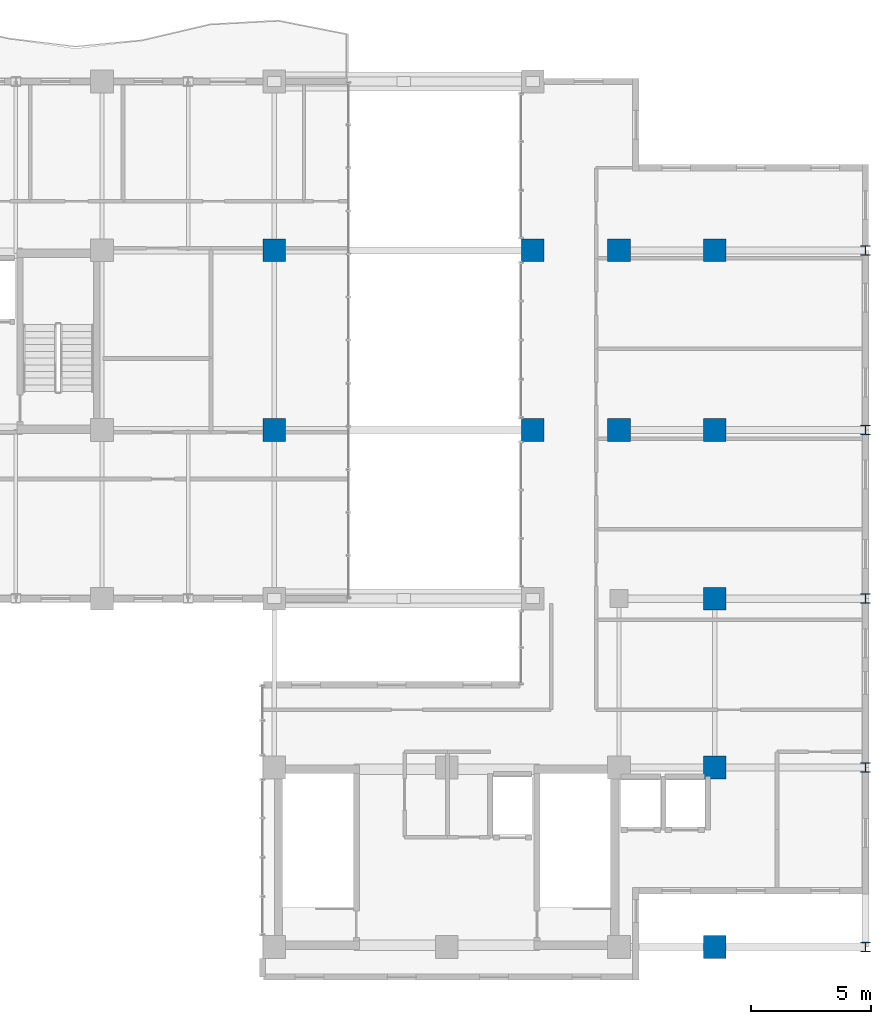
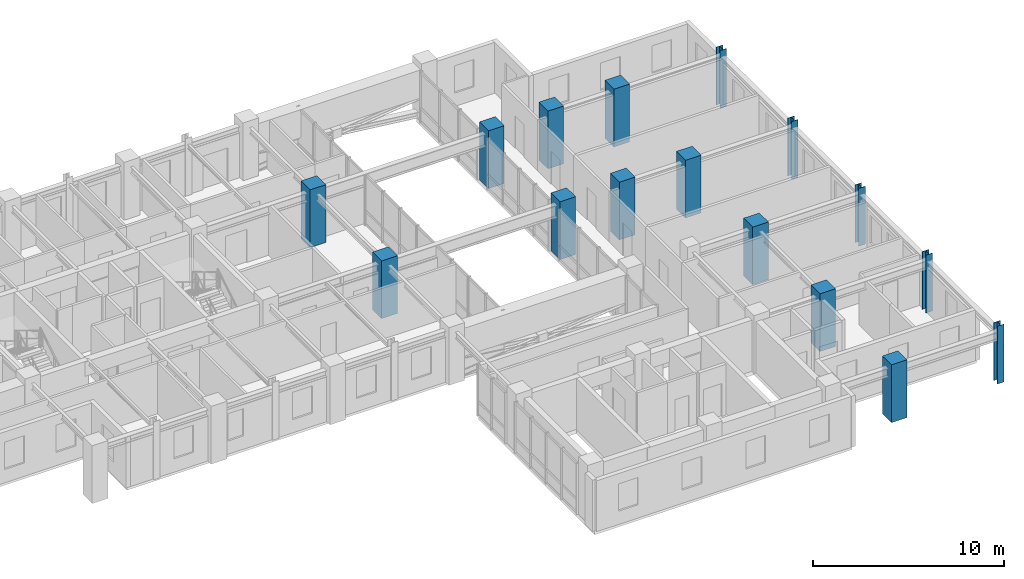
# One storey, part 2 of 23: 16 columns.
"""IFC4 building model written with IfcOpenShell, lengths in metres."""

from ifc_helpers import new_model, si_unit, direction, frame, origin, origin_2d, place, context, subcontext, project, spatial, rectangle, i_section, extrude, source, transform, mapped, material, material_profile, profile_set, type_object, element, save


model = new_model("IFC4")

# Units and contexts
model_context = context("Model", 3, precision=1e-05, world=origin(), true_north=direction((0.0, 1.0)))
body_context = subcontext(model_context, "Body", "Model", "MODEL_VIEW")
ifc_project = project(units=[si_unit("LENGTHUNIT", "METRE"), si_unit("AREAUNIT", "SQUARE_METRE"), si_unit("VOLUMEUNIT", "CUBIC_METRE"), si_unit("PLANEANGLEUNIT", "RADIAN"), si_unit("MASSUNIT", "GRAM", prefix="KILO")], contexts=[model_context])

# Site, building, storey
site_placement = place(None, origin())
site = spatial("IfcSite", under=ifc_project, at=site_placement, CompositionType="ELEMENT")
building_placement = place(site_placement, origin())
building = spatial("IfcBuilding", under=site, at=building_placement, Name="Kaliganga Portal Commons", CompositionType="ELEMENT")
storey_placement = place(building_placement, frame((0.0, 0.0, 246.199951171875)))
storey = spatial("IfcBuildingStorey", under=building, at=storey_placement, Name="L63", CompositionType="ELEMENT", Elevation=246.199951171875)

# Columns
ifc_material_1 = material(Name="Concrete C50/60", Category="concrete")
ifc_material_profile_1 = material_profile(ifc_material_1, rectangle(XDim=0.949951171875, YDim=0.949951171875, at=origin_2d()), Name="RC 950x950")
ifc_profile_set_1 = profile_set([ifc_material_profile_1], Name="Concrete C50/60")
column_type_1 = type_object("IfcColumnType", Name="COL-MEGA-Z4", PredefinedType="COLUMN", material=ifc_profile_set_1)
shared_shape_1 = source(origin(), body_context, "Body", "SweptSolid", [
    extrude(rectangle(XDim=0.949951171875, YDim=0.949951171875, at=origin_2d()), origin(), (0.0, 0.0, 1.0), 3.699951171875),
])
for number, where, z_axis, x_axis, name in (
    (1, (36.0, 28.64990234375, 0.0), (0.0, 0.0, 1.0), (1.0, 0.0, 0.0), "Column MC-05 L63"),
    (2, (36.0, 36.14990234375, 0.0), (0.0, 0.0, 1.0), (1.0, 0.0, 0.0), "Column MC-05 L63"),
    (3, (46.800048828125, 28.64990234375, 0.0), (0.0, 0.0, 1.0), (1.0, 0.0, 0.0), "Column MC-05 L63"),
    (4, (46.800048828125, 36.14990234375, 0.0), (0.0, 0.0, 1.0), (1.0, 0.0, 0.0), "Column MC-05 L63"),
    (5, (50.39990234375, 28.64990234375, 0.0), (0.0, 0.0, 1.0), (1.0, 0.0, 0.0), "Column MC-05 L63"),
    (6, (50.39990234375, 36.14990234375, 0.0), (0.0, 0.0, 1.0), (1.0, 0.0, 0.0), "Column MC-05 L63"),
    (7, (54.39990234375, 7.050048828125, 0.0), (0.0, 0.0, 1.0), (1.0, 0.0, 0.0), "Column MC-05 L63"),
    (8, (54.39990234375, 14.550048828125, 0.0), (0.0, 0.0, 1.0), (1.0, 0.0, 0.0), "Column MC-05 L63"),
    (9, (54.39990234375, 21.60009765625, 0.0), (0.0, 0.0, 1.0), (1.0, 0.0, 0.0), "Column MC-05 L63"),
    (10, (54.39990234375, 28.64990234375, 0.0), (0.0, 0.0, 1.0), (1.0, 0.0, 0.0), "Column MC-05 L63"),
    (11, (54.39990234375, 36.14990234375, 0.0), (0.0, 0.0, 1.0), (1.0, 0.0, 0.0), "Column MC-05 L63"),
):
    element("IfcColumn", number, at=place(storey_placement, frame(where, z_axis=z_axis, x_axis=x_axis)), inside=storey, type_object=column_type_1, Name=name, PredefinedType="COLUMN", context=body_context, shape_type="MappedRepresentation", body=[
        mapped(shared_shape_1, transform((0.0, 0.0, 0.0), x_axis=(1.0, 0.0, 0.0), y_axis=(0.0, 1.0, 0.0), z_axis=(0.0, 0.0, 1.0), scale=1.0)),
    ])
ifc_material_2 = material(Name="Structural steel S355J2", Category="steel")
ifc_material_profile_2 = material_profile(ifc_material_2, i_section(OverallWidth=0.39892578125, OverallDepth=0.39990234375, WebThickness=0.017333984375, FlangeThickness=0.0234375, FilletRadius=0.014892578125, at=origin_2d()), Name="HD 400x287")
ifc_profile_set_2 = profile_set([ifc_material_profile_2], Name="Structural steel S355J2 wide-flange")
column_type_2 = type_object("IfcColumnType", Name="COL-TUBE-B4", PredefinedType="COLUMN", material=ifc_profile_set_2)
shared_shape_2 = source(origin(), body_context, "Body", "SweptSolid", [
    extrude(i_section(OverallWidth=0.39892578125, OverallDepth=0.39990234375, WebThickness=0.017333984375, FlangeThickness=0.0234375, FilletRadius=0.014892578125, at=origin_2d()), origin(), (0.0, 0.0, 1.0), 3.699951171875),
])
for number, where, z_axis, x_axis, name in (
    (12, (60.699951171875, 7.050048828125, 0.0), (0.0, 0.0, 1.0), (1.0, 0.0, 0.0), "Column TC-04 L63"),
    (13, (60.699951171875, 14.550048828125, 0.0), (0.0, 0.0, 1.0), (1.0, 0.0, 0.0), "Column TC-04 L63"),
    (14, (60.699951171875, 21.60009765625, 0.0), (0.0, 0.0, 1.0), (1.0, 0.0, 0.0), "Column TC-04 L63"),
    (15, (60.699951171875, 28.64990234375, 0.0), (0.0, 0.0, 1.0), (1.0, 0.0, 0.0), "Column TC-04 L63"),
    (16, (60.699951171875, 36.14990234375, 0.0), (0.0, 0.0, 1.0), (1.0, 0.0, 0.0), "Column TC-04 L63"),
):
    element("IfcColumn", number, at=place(storey_placement, frame(where, z_axis=z_axis, x_axis=x_axis)), inside=storey, type_object=column_type_2, Name=name, PredefinedType="COLUMN", context=body_context, shape_type="MappedRepresentation", body=[
        mapped(shared_shape_2, transform((0.0, 0.0, 0.0), x_axis=(1.0, 0.0, 0.0), y_axis=(0.0, 1.0, 0.0), z_axis=(0.0, 0.0, 1.0), scale=1.0)),
    ])

save(model, "model.ifc")
